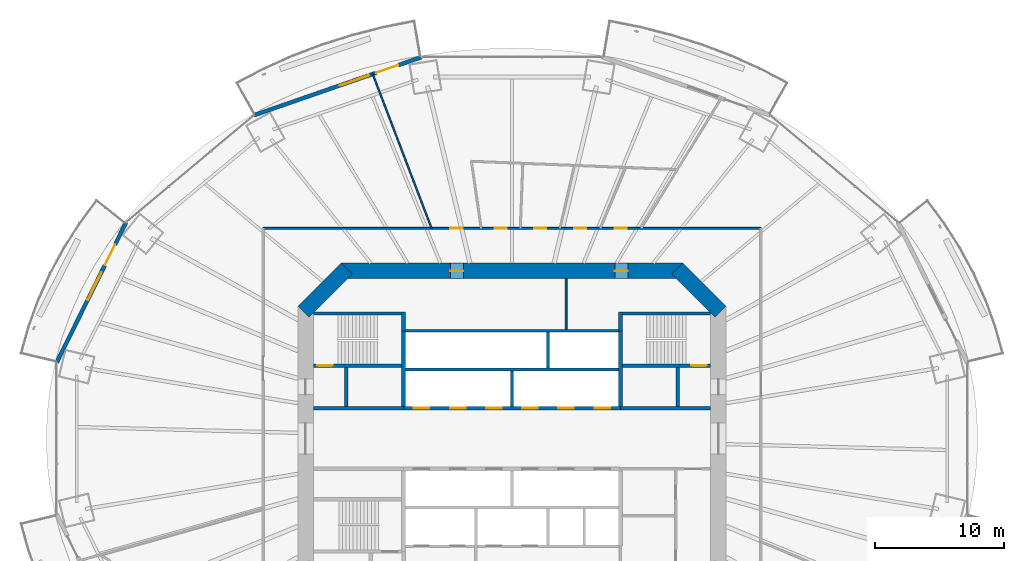
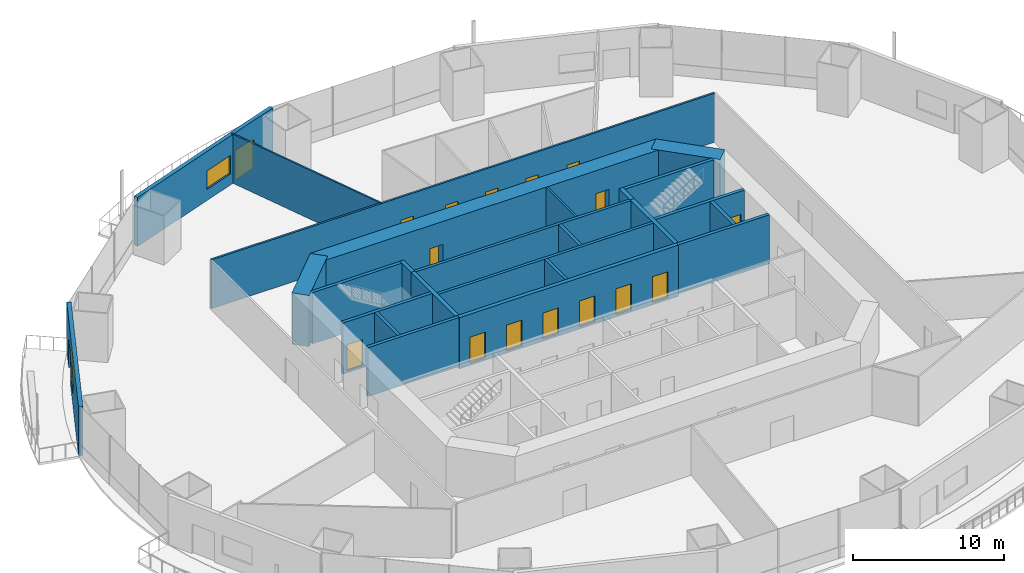
# One storey, part 16 of 23: 25 walls, 17 doors, 2 windows, 19 openings.
"""IFC4 building model written with IfcOpenShell, lengths in metres."""

from ifc_helpers import new_model, si_unit, direction, frame, frame_2d, origin, place, context, subcontext, project, spatial, rectangle, extrude, material, layer, layer_set, type_object, element, fill, save


model = new_model("IFC4")

# Units and contexts
model_context = context("Model", 3, precision=1e-05, world=origin(), true_north=direction((0.0, 1.0)))
body_context = subcontext(model_context, "Body", "Model", "MODEL_VIEW")
ifc_project = project(units=[si_unit("LENGTHUNIT", "METRE"), si_unit("AREAUNIT", "SQUARE_METRE"), si_unit("VOLUMEUNIT", "CUBIC_METRE"), si_unit("PLANEANGLEUNIT", "RADIAN"), si_unit("MASSUNIT", "GRAM", prefix="KILO")], contexts=[model_context])

# Site, building, storey
site_placement = place(None, origin())
site = spatial("IfcSite", under=ifc_project, at=site_placement, CompositionType="ELEMENT")
building_placement = place(site_placement, origin())
building = spatial("IfcBuilding", under=site, at=building_placement, Name="Marenthal Gate Tower", CompositionType="ELEMENT")
storey_placement = place(building_placement, frame((0.0, 0.0, 66.199951171875)))
storey = spatial("IfcBuildingStorey", under=building, at=storey_placement, Name="L12", CompositionType="ELEMENT", Elevation=66.199951171875)

# Wall
ifc_material_1 = material(Name="Concrete 60 MPa", Category="concrete")
ifc_layer_1 = layer(ifc_material_1, 1.199951171875)
ifc_layer_set_1 = layer_set([ifc_layer_1], Name="Core shear wall 1200")
wall_type_1 = type_object("IfcWallType", Name="Core shear wall 1200", PredefinedType="SHEAR", material=ifc_layer_set_1)
wall_1_placement = place(storey_placement, frame((16.17578125, 9.82421875, -0.179931640625), z_axis=(0.0, 0.0, 1.0), x_axis=(-0.707106781187, 0.707106781187, 0.0)))
element("IfcWall", 1, at=wall_1_placement, inside=storey, type_object=wall_type_1, Name="Core wall 03", PredefinedType="SHEAR", context=body_context, shape_type="SweptSolid", body=[
    extrude(rectangle(XDim=4.73974609375, YDim=1.199951171875, at=frame_2d((2.369873046875, 0.0))), origin(), (0.0, 0.0, 1.0), 4.14990234375),
])

# Wall, openings, doors
wall_2_placement = place(storey_placement, frame((13.24853515625, 13.0, -0.179931640625), z_axis=(0.0, 0.0, 1.0), x_axis=(-1.0, 0.0, 0.0)))
wall_2 = element("IfcWall", 2, at=wall_2_placement, inside=storey, type_object=wall_type_1, Name="Core wall 04", PredefinedType="SHEAR", context=body_context, shape_type="SweptSolid", body=[
    extrude(rectangle(XDim=26.4970703125, YDim=1.199951171875, at=frame_2d((13.24853515625, 0.0))), origin(), (0.0, 0.0, 1.0), 4.14990234375),
])
opening_1_placement = place(wall_2_placement, frame((17.0244140625, 0.0, 0.179931640625)))
opening_1 = element("IfcOpeningElement", 3, at=opening_1_placement, cuts=wall_2, Name="Opening D005.01", PredefinedType="OPENING", context=body_context, shape_type="SweptSolid", body=[
    extrude(rectangle(XDim=1.0, YDim=2.10009765625, at=frame_2d((0.5, 1.050048828125))), frame((0.0, 0.60986328125, 0.0), z_axis=(0.0, -1.0, 0.0), x_axis=(1.0, 0.0, 0.0)), (0.0, 0.0, 1.0), 1.219970703125),
])
opening_2_placement = place(wall_2_placement, frame((4.2724609375, 0.0, 0.179931640625)))
opening_2 = element("IfcOpeningElement", 4, at=opening_2_placement, cuts=wall_2, Name="Opening D005.02", PredefinedType="OPENING", context=body_context, shape_type="SweptSolid", body=[
    extrude(rectangle(XDim=1.0, YDim=2.10009765625, at=frame_2d((0.5, 1.050048828125))), frame((0.0, 0.60986328125, 0.0), z_axis=(0.0, -1.0, 0.0), x_axis=(1.0, 0.0, 0.0)), (0.0, 0.0, 1.0), 1.219970703125),
])
ifc_material_2 = material(Name="Steel fire door", Category="steel")
door_type_1 = type_object("IfcDoorType", Name="Fire door FD 45 1000 x 2100", OperationType="NOTDEFINED", PredefinedType="DOOR", material=ifc_material_2)
door_1_placement = place(opening_1_placement, origin())
door_1 = element("IfcDoor", 5, at=door_1_placement, inside=storey, type_object=door_type_1, Name="Door D005.01", OperationType="SINGLE_SWING_RIGHT", OverallHeight=2.10009765625, OverallWidth=1.0, PredefinedType="DOOR", context=body_context, shape_type="SweptSolid", body=[
    extrude(rectangle(XDim=1.0, YDim=2.10009765625, at=frame_2d((0.5, 1.050048828125))), frame((0.0, 0.02490234375, 0.0), z_axis=(0.0, -1.0, 0.0), x_axis=(1.0, 0.0, 0.0)), (0.0, 0.0, 1.0), 0.050048828125),
])
fill(opening_1, door_1)
door_2_placement = place(opening_2_placement, origin())
door_2 = element("IfcDoor", 6, at=door_2_placement, inside=storey, type_object=door_type_1, Name="Door D005.02", OperationType="SINGLE_SWING_RIGHT", OverallHeight=2.10009765625, OverallWidth=1.0, PredefinedType="DOOR", context=body_context, shape_type="SweptSolid", body=[
    extrude(rectangle(XDim=1.0, YDim=2.10009765625, at=frame_2d((0.5, 1.050048828125))), frame((0.0, 0.02490234375, 0.0), z_axis=(0.0, -1.0, 0.0), x_axis=(1.0, 0.0, 0.0)), (0.0, 0.0, 1.0), 0.050048828125),
])
fill(opening_2, door_2)

# Wall
wall_3_placement = place(storey_placement, frame((-12.82421875, 13.17578125, -0.179931640625), z_axis=(0.0, 0.0, 1.0), x_axis=(-0.707106781187, -0.707106781187, 0.0)))
element("IfcWall", 7, at=wall_3_placement, inside=storey, type_object=wall_type_1, Name="Core wall 05", PredefinedType="SHEAR", context=body_context, shape_type="SweptSolid", body=[
    extrude(rectangle(XDim=4.73974609375, YDim=1.199951171875, at=frame_2d((2.369873046875, 0.0))), origin(), (0.0, 0.0, 1.0), 4.14990234375),
])

# Wall, openings, doors
ifc_material_3 = material(Name="Concrete 50 MPa", Category="concrete")
ifc_layer_2 = layer(ifc_material_3, 0.300048828125)
ifc_layer_set_2 = layer_set([ifc_layer_2], Name="Hoistway shear wall 300")
wall_type_2 = type_object("IfcWallType", Name="Hoistway shear wall 300", PredefinedType="SHEAR", material=ifc_layer_set_2)
wall_4_placement = place(storey_placement, frame((-8.39990234375, 2.35009765625, -0.179931640625), z_axis=(0.0, 0.0, 1.0), x_axis=(1.0, 0.0, 0.0)))
wall_4 = element("IfcWall", 8, at=wall_4_placement, inside=storey, type_object=wall_type_2, Name="Hoistway wall 19", PredefinedType="SHEAR", context=body_context, shape_type="SweptSolid", body=[
    extrude(rectangle(XDim=16.7998046875, YDim=0.300048828125, at=frame_2d((8.39990234375, 0.0))), origin(), (0.0, 0.0, 1.0), 4.14990234375),
])
opening_3_placement = place(wall_4_placement, frame((0.800048828125, 0.0, 0.179931640625)))
opening_3 = element("IfcOpeningElement", 9, at=opening_3_placement, cuts=wall_4, Name="Opening LD-LP1", PredefinedType="OPENING", context=body_context, shape_type="SweptSolid", body=[
    extrude(rectangle(XDim=1.199951171875, YDim=2.10009765625, at=frame_2d((0.60009765625, 1.050048828125))), frame((0.0, 0.16015625, 0.0), z_axis=(0.0, -1.0, 0.0), x_axis=(1.0, 0.0, 0.0)), (0.0, 0.0, 1.0), 0.320068359375),
])
opening_4_placement = place(wall_4_placement, frame((3.60009765625, 0.0, 0.179931640625)))
opening_4 = element("IfcOpeningElement", 10, at=opening_4_placement, cuts=wall_4, Name="Opening LD-LP2", PredefinedType="OPENING", context=body_context, shape_type="SweptSolid", body=[
    extrude(rectangle(XDim=1.199951171875, YDim=2.10009765625, at=frame_2d((0.60009765625, 1.050048828125))), frame((0.0, 0.16015625, 0.0), z_axis=(0.0, -1.0, 0.0), x_axis=(1.0, 0.0, 0.0)), (0.0, 0.0, 1.0), 0.320068359375),
])
opening_5_placement = place(wall_4_placement, frame((6.39990234375, 0.0, 0.179931640625)))
opening_5 = element("IfcOpeningElement", 11, at=opening_5_placement, cuts=wall_4, Name="Opening LD-LP3", PredefinedType="OPENING", context=body_context, shape_type="SweptSolid", body=[
    extrude(rectangle(XDim=1.199951171875, YDim=2.10009765625, at=frame_2d((0.60009765625, 1.050048828125))), frame((0.0, 0.16015625, 0.0), z_axis=(0.0, -1.0, 0.0), x_axis=(1.0, 0.0, 0.0)), (0.0, 0.0, 1.0), 0.320068359375),
])
opening_6_placement = place(wall_4_placement, frame((9.199951171875, 0.0, 0.179931640625)))
opening_6 = element("IfcOpeningElement", 12, at=opening_6_placement, cuts=wall_4, Name="Opening LD-LP4", PredefinedType="OPENING", context=body_context, shape_type="SweptSolid", body=[
    extrude(rectangle(XDim=1.199951171875, YDim=2.10009765625, at=frame_2d((0.60009765625, 1.050048828125))), frame((0.0, 0.16015625, 0.0), z_axis=(0.0, -1.0, 0.0), x_axis=(1.0, 0.0, 0.0)), (0.0, 0.0, 1.0), 0.320068359375),
])
opening_7_placement = place(wall_4_placement, frame((12.0, 0.0, 0.179931640625)))
opening_7 = element("IfcOpeningElement", 13, at=opening_7_placement, cuts=wall_4, Name="Opening LD-LP5", PredefinedType="OPENING", context=body_context, shape_type="SweptSolid", body=[
    extrude(rectangle(XDim=1.199951171875, YDim=2.10009765625, at=frame_2d((0.60009765625, 1.050048828125))), frame((0.0, 0.16015625, 0.0), z_axis=(0.0, -1.0, 0.0), x_axis=(1.0, 0.0, 0.0)), (0.0, 0.0, 1.0), 0.320068359375),
])
opening_8_placement = place(wall_4_placement, frame((14.800048828125, 0.0, 0.179931640625)))
opening_8 = element("IfcOpeningElement", 14, at=opening_8_placement, cuts=wall_4, Name="Opening LD-LP6", PredefinedType="OPENING", context=body_context, shape_type="SweptSolid", body=[
    extrude(rectangle(XDim=1.199951171875, YDim=2.10009765625, at=frame_2d((0.60009765625, 1.050048828125))), frame((0.0, 0.16015625, 0.0), z_axis=(0.0, -1.0, 0.0), x_axis=(1.0, 0.0, 0.0)), (0.0, 0.0, 1.0), 0.320068359375),
])
ifc_material_4 = material(Name="Stainless steel sliding door", Category="steel")
door_type_2 = type_object("IfcDoorType", Name="Lift landing door FD 90 1200 x 2100", OperationType="DOUBLE_DOOR_SLIDING", PredefinedType="DOOR", material=ifc_material_4)
door_3_placement = place(opening_3_placement, origin())
door_3 = element("IfcDoor", 15, at=door_3_placement, inside=storey, type_object=door_type_2, Name="Lift landing door LP1", OperationType="DOUBLE_DOOR_SLIDING", OverallHeight=2.10009765625, OverallWidth=1.199951171875, PredefinedType="DOOR", context=body_context, shape_type="SweptSolid", body=[
    extrude(rectangle(XDim=1.199951171875, YDim=2.10009765625, at=frame_2d((0.60009765625, 1.050048828125))), frame((0.0, 0.02490234375, 0.0), z_axis=(0.0, -1.0, 0.0), x_axis=(1.0, 0.0, 0.0)), (0.0, 0.0, 1.0), 0.050048828125),
])
fill(opening_3, door_3)
door_4_placement = place(opening_4_placement, origin())
door_4 = element("IfcDoor", 16, at=door_4_placement, inside=storey, type_object=door_type_2, Name="Lift landing door LP2", OperationType="DOUBLE_DOOR_SLIDING", OverallHeight=2.10009765625, OverallWidth=1.199951171875, PredefinedType="DOOR", context=body_context, shape_type="SweptSolid", body=[
    extrude(rectangle(XDim=1.199951171875, YDim=2.10009765625, at=frame_2d((0.60009765625, 1.050048828125))), frame((0.0, 0.02490234375, 0.0), z_axis=(0.0, -1.0, 0.0), x_axis=(1.0, 0.0, 0.0)), (0.0, 0.0, 1.0), 0.050048828125),
])
fill(opening_4, door_4)
door_5_placement = place(opening_5_placement, origin())
door_5 = element("IfcDoor", 17, at=door_5_placement, inside=storey, type_object=door_type_2, Name="Lift landing door LP3", OperationType="DOUBLE_DOOR_SLIDING", OverallHeight=2.10009765625, OverallWidth=1.199951171875, PredefinedType="DOOR", context=body_context, shape_type="SweptSolid", body=[
    extrude(rectangle(XDim=1.199951171875, YDim=2.10009765625, at=frame_2d((0.60009765625, 1.050048828125))), frame((0.0, 0.02490234375, 0.0), z_axis=(0.0, -1.0, 0.0), x_axis=(1.0, 0.0, 0.0)), (0.0, 0.0, 1.0), 0.050048828125),
])
fill(opening_5, door_5)
door_6_placement = place(opening_6_placement, origin())
door_6 = element("IfcDoor", 18, at=door_6_placement, inside=storey, type_object=door_type_2, Name="Lift landing door LP4", OperationType="DOUBLE_DOOR_SLIDING", OverallHeight=2.10009765625, OverallWidth=1.199951171875, PredefinedType="DOOR", context=body_context, shape_type="SweptSolid", body=[
    extrude(rectangle(XDim=1.199951171875, YDim=2.10009765625, at=frame_2d((0.60009765625, 1.050048828125))), frame((0.0, 0.02490234375, 0.0), z_axis=(0.0, -1.0, 0.0), x_axis=(1.0, 0.0, 0.0)), (0.0, 0.0, 1.0), 0.050048828125),
])
fill(opening_6, door_6)
door_7_placement = place(opening_7_placement, origin())
door_7 = element("IfcDoor", 19, at=door_7_placement, inside=storey, type_object=door_type_2, Name="Lift landing door LP5", OperationType="DOUBLE_DOOR_SLIDING", OverallHeight=2.10009765625, OverallWidth=1.199951171875, PredefinedType="DOOR", context=body_context, shape_type="SweptSolid", body=[
    extrude(rectangle(XDim=1.199951171875, YDim=2.10009765625, at=frame_2d((0.60009765625, 1.050048828125))), frame((0.0, 0.02490234375, 0.0), z_axis=(0.0, -1.0, 0.0), x_axis=(1.0, 0.0, 0.0)), (0.0, 0.0, 1.0), 0.050048828125),
])
fill(opening_7, door_7)
door_8_placement = place(opening_8_placement, origin())
door_8 = element("IfcDoor", 20, at=door_8_placement, inside=storey, type_object=door_type_2, Name="Lift landing door LP6", OperationType="DOUBLE_DOOR_SLIDING", OverallHeight=2.10009765625, OverallWidth=1.199951171875, PredefinedType="DOOR", context=body_context, shape_type="SweptSolid", body=[
    extrude(rectangle(XDim=1.199951171875, YDim=2.10009765625, at=frame_2d((0.60009765625, 1.050048828125))), frame((0.0, 0.02490234375, 0.0), z_axis=(0.0, -1.0, 0.0), x_axis=(1.0, 0.0, 0.0)), (0.0, 0.0, 1.0), 0.050048828125),
])
fill(opening_8, door_8)

# Walls
for number, where, z_axis, x_axis, name in (
    (21, (-8.39990234375, 2.5, -0.179931640625), (0.0, 0.0, 1.0), (0.0, 1.0, 0.0), "Hoistway wall 31"),
    (22, (8.39990234375, 2.5, -0.179931640625), (0.0, 0.0, 1.0), (0.0, 1.0, 0.0), "Hoistway wall 43"),
):
    element("IfcWall", number, at=place(storey_placement, frame(where, z_axis=z_axis, x_axis=x_axis)), inside=storey, type_object=wall_type_2, Name=name, PredefinedType="SHEAR", context=body_context, shape_type="SweptSolid", body=[
        extrude(rectangle(XDim=5.85009765625, YDim=0.300048828125, at=frame_2d((2.925048828125, 0.0))), origin(), (0.0, 0.0, 1.0), 4.14990234375),
    ])
ifc_material_5 = material(Name="Concrete 40 MPa", Category="concrete")
ifc_layer_3 = layer(ifc_material_5, 0.219970703125)
ifc_layer_set_3 = layer_set([ifc_layer_3], Name="Hoistway wall 220")
wall_type_3 = type_object("IfcWallType", Name="Hoistway wall 220", PredefinedType="STANDARD", material=ifc_layer_set_3)
for number, where, z_axis, x_axis, name in (
    (23, (-8.25, 5.35009765625, 0.0), (0.0, 0.0, 1.0), (1.0, 0.0, 0.0), "Hoistway wall 21"),
    (24, (-8.25, 8.35009765625, 0.0), (0.0, 0.0, 1.0), (1.0, 0.0, 0.0), "Hoistway wall 24"),
):
    element("IfcWall", number, at=place(storey_placement, frame(where, z_axis=z_axis, x_axis=x_axis)), inside=storey, type_object=wall_type_3, Name=name, PredefinedType="STANDARD", context=body_context, shape_type="SweptSolid", body=[
        extrude(rectangle(XDim=16.5, YDim=0.219970703125, at=frame_2d((8.25, 0.0))), origin(), (0.0, 0.0, 1.0), 3.969970703125),
    ])
wall_5_placement = place(storey_placement, frame((0.0, 2.5, 0.0), z_axis=(0.0, 0.0, 1.0), x_axis=(0.0, 1.0, 0.0)))
element("IfcWall", 25, at=wall_5_placement, inside=storey, type_object=wall_type_3, Name="Hoistway wall 36", PredefinedType="STANDARD", context=body_context, shape_type="SweptSolid", body=[
    extrude(rectangle(XDim=2.739990234375, YDim=0.219970703125, at=frame_2d((1.3701171875, 0.0))), origin(), (0.0, 0.0, 1.0), 3.969970703125),
])
wall_6_placement = place(storey_placement, frame((2.800048828125, 5.4599609375, 0.0), z_axis=(0.0, 0.0, 1.0), x_axis=(0.0, 1.0, 0.0)))
element("IfcWall", 26, at=wall_6_placement, inside=storey, type_object=wall_type_3, Name="Hoistway wall 38", PredefinedType="STANDARD", context=body_context, shape_type="SweptSolid", body=[
    extrude(rectangle(XDim=2.780029296875, YDim=0.219970703125, at=frame_2d((1.39013671875, 0.0))), origin(), (0.0, 0.0, 1.0), 3.969970703125),
])
ifc_material_6 = material(Name="Gypsum board on steel studs", Category="steel")
ifc_layer_4 = layer(ifc_material_6, 0.1201171875)
ifc_layer_set_4 = layer_set([ifc_layer_4], Name="Partition 120")
wall_type_4 = type_object("IfcWallType", Name="Partition 120", PredefinedType="PARTITIONING", material=ifc_layer_set_4)
wall_7_placement = place(storey_placement, frame((-6.23046875, 16.300048828125, 0.0), z_axis=(0.0, 0.0, 1.0), x_axis=(-0.357030786406, 0.934092617227, 0.0)))
element("IfcWall", 27, at=wall_7_placement, inside=storey, type_object=wall_type_4, Name="Partition wall 52", PredefinedType="PARTITIONING", context=body_context, shape_type="SweptSolid", body=[
    extrude(rectangle(XDim=12.80224609375, YDim=0.1201171875, at=frame_2d((6.401123046875, 0.0))), origin(), (0.0, 0.0, 1.0), 3.969970703125),
])
ifc_material_7 = material(Name="Gypsum board on steel studs", Category="steel")
ifc_layer_5 = layer(ifc_material_7, 0.14990234375)
ifc_layer_set_5 = layer_set([ifc_layer_5], Name="Partition 150")
wall_type_5 = type_object("IfcWallType", Name="Partition 150", PredefinedType="PARTITIONING", material=ifc_layer_set_5)
wall_8_placement = place(storey_placement, frame((4.199951171875, 8.4599609375, 0.0), z_axis=(0.0, 0.0, 1.0), x_axis=(0.0, 1.0, 0.0)))
element("IfcWall", 28, at=wall_8_placement, inside=storey, type_object=wall_type_5, Name="Partition wall 39", PredefinedType="PARTITIONING", context=body_context, shape_type="SweptSolid", body=[
    extrude(rectangle(XDim=3.93994140625, YDim=0.14990234375, at=frame_2d((1.969970703125, 0.0))), origin(), (0.0, 0.0, 1.0), 3.969970703125),
])

# Wall, openings, doors
wall_9_placement = place(storey_placement, frame((-19.300048828125, 16.300048828125, 0.0), z_axis=(0.0, 0.0, 1.0), x_axis=(1.0, 0.0, 0.0)))
wall_9 = element("IfcWall", 29, at=wall_9_placement, inside=storey, type_object=wall_type_5, Name="Partition wall 51", PredefinedType="PARTITIONING", context=body_context, shape_type="SweptSolid", body=[
    extrude(rectangle(XDim=38.60009765625, YDim=0.14990234375, at=frame_2d((19.300048828125, 0.0))), origin(), (0.0, 0.0, 1.0), 3.969970703125),
])
opening_9_placement = place(wall_9_placement, frame((27.260009765625, 0.0, 0.0)))
opening_9 = element("IfcOpeningElement", 30, at=opening_9_placement, cuts=wall_9, Name="Opening D016.01", PredefinedType="OPENING", context=body_context, shape_type="SweptSolid", body=[
    extrude(rectangle(XDim=0.949951171875, YDim=2.10009765625, at=frame_2d((0.47509765625, 1.050048828125))), frame((0.0, 0.0849609375, 0.0), z_axis=(0.0, -1.0, 0.0), x_axis=(1.0, 0.0, 0.0)), (0.0, 0.0, 1.0), 0.169921875),
])
opening_10_placement = place(wall_9_placement, frame((24.110107421875, 0.0, 0.0)))
opening_10 = element("IfcOpeningElement", 31, at=opening_10_placement, cuts=wall_9, Name="Opening D016.02", PredefinedType="OPENING", context=body_context, shape_type="SweptSolid", body=[
    extrude(rectangle(XDim=0.949951171875, YDim=2.10009765625, at=frame_2d((0.47509765625, 1.050048828125))), frame((0.0, 0.0849609375, 0.0), z_axis=(0.0, -1.0, 0.0), x_axis=(1.0, 0.0, 0.0)), (0.0, 0.0, 1.0), 0.169921875),
])
opening_11_placement = place(wall_9_placement, frame((21.008056640625, 0.0, 0.0)))
opening_11 = element("IfcOpeningElement", 32, at=opening_11_placement, cuts=wall_9, Name="Opening D016.03", PredefinedType="OPENING", context=body_context, shape_type="SweptSolid", body=[
    extrude(rectangle(XDim=0.949951171875, YDim=2.10009765625, at=frame_2d((0.47509765625, 1.050048828125))), frame((0.0, 0.0849609375, 0.0), z_axis=(0.0, -1.0, 0.0), x_axis=(1.0, 0.0, 0.0)), (0.0, 0.0, 1.0), 0.169921875),
])
opening_12_placement = place(wall_9_placement, frame((17.951904296875, 0.0, 0.0)))
opening_12 = element("IfcOpeningElement", 33, at=opening_12_placement, cuts=wall_9, Name="Opening D016.04", PredefinedType="OPENING", context=body_context, shape_type="SweptSolid", body=[
    extrude(rectangle(XDim=0.949951171875, YDim=2.10009765625, at=frame_2d((0.47509765625, 1.050048828125))), frame((0.0, 0.0849609375, 0.0), z_axis=(0.0, -1.0, 0.0), x_axis=(1.0, 0.0, 0.0)), (0.0, 0.0, 1.0), 0.169921875),
])
opening_13_placement = place(wall_9_placement, frame((14.51611328125, 0.0, 0.0)))
opening_13 = element("IfcOpeningElement", 34, at=opening_13_placement, cuts=wall_9, Name="Opening D016.05", PredefinedType="OPENING", context=body_context, shape_type="SweptSolid", body=[
    extrude(rectangle(XDim=0.949951171875, YDim=2.10009765625, at=frame_2d((0.47509765625, 1.050048828125))), frame((0.0, 0.0849609375, 0.0), z_axis=(0.0, -1.0, 0.0), x_axis=(1.0, 0.0, 0.0)), (0.0, 0.0, 1.0), 0.169921875),
])
ifc_material_8 = material(Name="Timber door", Category="wood")
door_type_3 = type_object("IfcDoorType", Name="Door 950 x 2100", OperationType="NOTDEFINED", PredefinedType="DOOR", material=ifc_material_8)
door_9_placement = place(opening_9_placement, origin())
door_9 = element("IfcDoor", 35, at=door_9_placement, inside=storey, type_object=door_type_3, Name="Door D016.01", OperationType="SINGLE_SWING_RIGHT", OverallHeight=2.10009765625, OverallWidth=0.949951171875, PredefinedType="DOOR", context=body_context, shape_type="SweptSolid", body=[
    extrude(rectangle(XDim=0.949951171875, YDim=2.10009765625, at=frame_2d((0.47509765625, 1.050048828125))), frame((0.0, 0.02490234375, 0.0), z_axis=(0.0, -1.0, 0.0), x_axis=(1.0, 0.0, 0.0)), (0.0, 0.0, 1.0), 0.050048828125),
])
fill(opening_9, door_9)
door_10_placement = place(opening_10_placement, origin())
door_10 = element("IfcDoor", 36, at=door_10_placement, inside=storey, type_object=door_type_3, Name="Door D016.02", OperationType="SINGLE_SWING_RIGHT", OverallHeight=2.10009765625, OverallWidth=0.949951171875, PredefinedType="DOOR", context=body_context, shape_type="SweptSolid", body=[
    extrude(rectangle(XDim=0.949951171875, YDim=2.10009765625, at=frame_2d((0.47509765625, 1.050048828125))), frame((0.0, 0.02490234375, 0.0), z_axis=(0.0, -1.0, 0.0), x_axis=(1.0, 0.0, 0.0)), (0.0, 0.0, 1.0), 0.050048828125),
])
fill(opening_10, door_10)
door_11_placement = place(opening_11_placement, origin())
door_11 = element("IfcDoor", 37, at=door_11_placement, inside=storey, type_object=door_type_3, Name="Door D016.03", OperationType="SINGLE_SWING_RIGHT", OverallHeight=2.10009765625, OverallWidth=0.949951171875, PredefinedType="DOOR", context=body_context, shape_type="SweptSolid", body=[
    extrude(rectangle(XDim=0.949951171875, YDim=2.10009765625, at=frame_2d((0.47509765625, 1.050048828125))), frame((0.0, 0.02490234375, 0.0), z_axis=(0.0, -1.0, 0.0), x_axis=(1.0, 0.0, 0.0)), (0.0, 0.0, 1.0), 0.050048828125),
])
fill(opening_11, door_11)
door_12_placement = place(opening_12_placement, origin())
door_12 = element("IfcDoor", 38, at=door_12_placement, inside=storey, type_object=door_type_3, Name="Door D016.04", OperationType="SINGLE_SWING_RIGHT", OverallHeight=2.10009765625, OverallWidth=0.949951171875, PredefinedType="DOOR", context=body_context, shape_type="SweptSolid", body=[
    extrude(rectangle(XDim=0.949951171875, YDim=2.10009765625, at=frame_2d((0.47509765625, 1.050048828125))), frame((0.0, 0.02490234375, 0.0), z_axis=(0.0, -1.0, 0.0), x_axis=(1.0, 0.0, 0.0)), (0.0, 0.0, 1.0), 0.050048828125),
])
fill(opening_12, door_12)
door_13_placement = place(opening_13_placement, origin())
door_13 = element("IfcDoor", 39, at=door_13_placement, inside=storey, type_object=door_type_3, Name="Door D016.05", OperationType="SINGLE_SWING_RIGHT", OverallHeight=2.10009765625, OverallWidth=0.949951171875, PredefinedType="DOOR", context=body_context, shape_type="SweptSolid", body=[
    extrude(rectangle(XDim=0.949951171875, YDim=2.10009765625, at=frame_2d((0.47509765625, 1.050048828125))), frame((0.0, 0.02490234375, 0.0), z_axis=(0.0, -1.0, 0.0), x_axis=(1.0, 0.0, 0.0)), (0.0, 0.0, 1.0), 0.050048828125),
])
fill(opening_13, door_13)

# Walls
ifc_material_9 = material(Name="Concrete 40 MPa", Category="concrete")
ifc_layer_6 = layer(ifc_material_9, 0.25)
ifc_layer_set_6 = layer_set([ifc_layer_6], Name="Stair enclosure wall 250")
wall_type_6 = type_object("IfcWallType", Name="Stair enclosure wall 250", PredefinedType="STANDARD", material=ifc_layer_set_6)
for number, where, z_axis, x_axis, name in (
    (40, (-15.39990234375, 2.35009765625, 0.0), (0.0, 0.0, 1.0), (1.0, 0.0, 0.0), "Stair wall 18"),
    (41, (8.39990234375, 2.35009765625, 0.0), (0.0, 0.0, 1.0), (1.0, 0.0, 0.0), "Stair wall 20"),
):
    element("IfcWall", number, at=place(storey_placement, frame(where, z_axis=z_axis, x_axis=x_axis)), inside=storey, type_object=wall_type_6, Name=name, PredefinedType="STANDARD", context=body_context, shape_type="SweptSolid", body=[
        extrude(rectangle(XDim=7.0, YDim=0.25, at=frame_2d((3.5, 0.0))), origin(), (0.0, 0.0, 1.0), 3.969970703125),
    ])
for number, where, z_axis, x_axis, name in (
    (42, (-12.85009765625, 2.47509765625, 0.0), (0.0, 0.0, 1.0), (0.0, 1.0, 0.0), "Stair wall 27"),
    (43, (12.85009765625, 2.47509765625, 0.0), (0.0, 0.0, 1.0), (0.0, 1.0, 0.0), "Stair wall 46"),
):
    element("IfcWall", number, at=place(storey_placement, frame(where, z_axis=z_axis, x_axis=x_axis)), inside=storey, type_object=wall_type_6, Name=name, PredefinedType="STANDARD", context=body_context, shape_type="SweptSolid", body=[
        extrude(rectangle(XDim=3.0498046875, YDim=0.25, at=frame_2d((1.52490234375, 0.0))), origin(), (0.0, 0.0, 1.0), 3.969970703125),
    ])

# Wall, opening, door
ifc_material_10 = material(Name="Concrete 50 MPa", Category="concrete")
ifc_layer_7 = layer(ifc_material_10, 0.25)
ifc_layer_set_7 = layer_set([ifc_layer_7], Name="Stair shear wall 250")
wall_type_7 = type_object("IfcWallType", Name="Stair shear wall 250", PredefinedType="SHEAR", material=ifc_layer_set_7)
wall_10_placement = place(storey_placement, frame((-15.39990234375, 5.64990234375, -0.179931640625), z_axis=(0.0, 0.0, 1.0), x_axis=(1.0, 0.0, 0.0)))
wall_10 = element("IfcWall", 44, at=wall_10_placement, inside=storey, type_object=wall_type_7, Name="Stair wall 22", PredefinedType="SHEAR", context=body_context, shape_type="SweptSolid", body=[
    extrude(rectangle(XDim=6.849853515625, YDim=0.25, at=frame_2d((3.4248046875, 0.0))), origin(), (0.0, 0.0, 1.0), 4.14990234375),
])
opening_14_placement = place(wall_10_placement, frame((0.300048828125, 0.0, 0.179931640625)))
opening_14 = element("IfcOpeningElement", 45, at=opening_14_placement, cuts=wall_10, Name="Opening D001.01", PredefinedType="OPENING", context=body_context, shape_type="SweptSolid", body=[
    extrude(rectangle(XDim=1.199951171875, YDim=2.10009765625, at=frame_2d((0.60009765625, 1.050048828125))), frame((0.0, 0.135009765625, 0.0), z_axis=(0.0, -1.0, 0.0), x_axis=(1.0, 0.0, 0.0)), (0.0, 0.0, 1.0), 0.27001953125),
])
ifc_material_11 = material(Name="Steel fire door", Category="steel")
door_type_4 = type_object("IfcDoorType", Name="Fire door FD 90 1200 x 2100", OperationType="NOTDEFINED", PredefinedType="DOOR", material=ifc_material_11)
door_14_placement = place(opening_14_placement, origin())
door_14 = element("IfcDoor", 46, at=door_14_placement, inside=storey, type_object=door_type_4, Name="Door D001.01", OperationType="SINGLE_SWING_RIGHT", OverallHeight=2.10009765625, OverallWidth=1.199951171875, PredefinedType="DOOR", context=body_context, shape_type="SweptSolid", body=[
    extrude(rectangle(XDim=1.199951171875, YDim=2.10009765625, at=frame_2d((0.60009765625, 1.050048828125))), frame((0.0, 0.02490234375, 0.0), z_axis=(0.0, -1.0, 0.0), x_axis=(1.0, 0.0, 0.0)), (0.0, 0.0, 1.0), 0.050048828125),
])
fill(opening_14, door_14)

wall_11_placement = place(storey_placement, frame((8.550048828125, 5.64990234375, -0.179931640625), z_axis=(0.0, 0.0, 1.0), x_axis=(1.0, 0.0, 0.0)))
wall_11 = element("IfcWall", 47, at=wall_11_placement, inside=storey, type_object=wall_type_7, Name="Stair wall 23", PredefinedType="SHEAR", context=body_context, shape_type="SweptSolid", body=[
    extrude(rectangle(XDim=6.849853515625, YDim=0.25, at=frame_2d((3.4248046875, 0.0))), origin(), (0.0, 0.0, 1.0), 4.14990234375),
])
opening_15_placement = place(wall_11_placement, frame((5.35009765625, 0.0, 0.179931640625)))
opening_15 = element("IfcOpeningElement", 48, at=opening_15_placement, cuts=wall_11, Name="Opening D001.02", PredefinedType="OPENING", context=body_context, shape_type="SweptSolid", body=[
    extrude(rectangle(XDim=1.199951171875, YDim=2.10009765625, at=frame_2d((0.60009765625, 1.050048828125))), frame((0.0, 0.135009765625, 0.0), z_axis=(0.0, -1.0, 0.0), x_axis=(1.0, 0.0, 0.0)), (0.0, 0.0, 1.0), 0.27001953125),
])
door_15_placement = place(opening_15_placement, origin())
door_15 = element("IfcDoor", 49, at=door_15_placement, inside=storey, type_object=door_type_4, Name="Door D001.02", OperationType="SINGLE_SWING_RIGHT", OverallHeight=2.10009765625, OverallWidth=1.199951171875, PredefinedType="DOOR", context=body_context, shape_type="SweptSolid", body=[
    extrude(rectangle(XDim=1.199951171875, YDim=2.10009765625, at=frame_2d((0.60009765625, 1.050048828125))), frame((0.0, 0.02490234375, 0.0), z_axis=(0.0, -1.0, 0.0), x_axis=(1.0, 0.0, 0.0)), (0.0, 0.0, 1.0), 0.050048828125),
])
fill(opening_15, door_15)

# Walls
for number, where, z_axis, x_axis, name in (
    (50, (-15.39990234375, 9.699951171875, -0.179931640625), (0.0, 0.0, 1.0), (1.0, 0.0, 0.0), "Stair wall 25"),
    (51, (8.550048828125, 9.699951171875, -0.179931640625), (0.0, 0.0, 1.0), (1.0, 0.0, 0.0), "Stair wall 26"),
):
    element("IfcWall", number, at=place(storey_placement, frame(where, z_axis=z_axis, x_axis=x_axis)), inside=storey, type_object=wall_type_7, Name=name, PredefinedType="SHEAR", context=body_context, shape_type="SweptSolid", body=[
        extrude(rectangle(XDim=6.849853515625, YDim=0.25, at=frame_2d((3.4248046875, 0.0))), origin(), (0.0, 0.0, 1.0), 4.14990234375),
    ])
ifc_material_12 = material(Name="Concrete 50 MPa", Category="concrete")
ifc_layer_8 = layer(ifc_material_12, 0.300048828125)
ifc_layer_set_8 = layer_set([ifc_layer_8], Name="Stair shear wall 300")
wall_type_8 = type_object("IfcWallType", Name="Stair shear wall 300", PredefinedType="SHEAR", material=ifc_layer_set_8)
for number, where, z_axis, x_axis, name in (
    (52, (-8.39990234375, 8.35009765625, -0.179931640625), (0.0, 0.0, 1.0), (0.0, 1.0, 0.0), "Stair wall 32"),
    (53, (8.39990234375, 8.35009765625, -0.179931640625), (0.0, 0.0, 1.0), (0.0, 1.0, 0.0), "Stair wall 44"),
):
    element("IfcWall", number, at=place(storey_placement, frame(where, z_axis=z_axis, x_axis=x_axis)), inside=storey, type_object=wall_type_8, Name=name, PredefinedType="SHEAR", context=body_context, shape_type="SweptSolid", body=[
        extrude(rectangle(XDim=1.474853515625, YDim=0.300048828125, at=frame_2d((0.7373046875, 0.0))), origin(), (0.0, 0.0, 1.0), 4.14990234375),
    ])

# Wall, openings, door, window
ifc_material_13 = material(Name="Terracotta cladding on insulated concrete-block backing", Category="masonry")
ifc_layer_9 = layer(ifc_material_13, 0.300048828125)
ifc_layer_set_9 = layer_set([ifc_layer_9], Name="Terracotta facade wall 300")
wall_type_9 = type_object("IfcWallType", Name="Terracotta facade wall 300", PredefinedType="SOLIDWALL", material=ifc_layer_set_9)
wall_12_placement = place(storey_placement, frame((-7.022216796875, 29.569580078125, 0.0), z_axis=(0.0, 0.0, 1.0), x_axis=(-0.944762678088, -0.327755216727, 0.0)))
wall_12 = element("IfcWall", 54, at=wall_12_placement, inside=storey, type_object=wall_type_9, Name="Terracotta facade wall L12 bay 5", PredefinedType="SOLIDWALL", context=body_context, shape_type="SweptSolid", body=[
    extrude(rectangle(XDim=13.734130859375, YDim=0.300048828125, at=frame_2d((6.8671875, 0.0))), origin(), (0.0, 0.0, 1.0), 3.969970703125),
])
opening_16_placement = place(wall_12_placement, frame((1.89990234375, 0.0, 0.0)))
opening_16 = element("IfcOpeningElement", 55, at=opening_16_placement, cuts=wall_12, Name="Opening BD-L12-05", PredefinedType="OPENING", context=body_context, shape_type="SweptSolid", body=[
    extrude(rectangle(XDim=1.800048828125, YDim=2.39990234375, at=frame_2d((0.89990234375, 1.199951171875))), frame((0.0, 0.16015625, 0.0), z_axis=(0.0, -1.0, 0.0), x_axis=(1.0, 0.0, 0.0)), (0.0, 0.0, 1.0), 0.320068359375),
])
opening_17_placement = place(wall_12_placement, frame((4.300048828125, 0.0, 0.89990234375)))
opening_17 = element("IfcOpeningElement", 56, at=opening_17_placement, cuts=wall_12, Name="Opening WN1-L12-05", PredefinedType="OPENING", context=body_context, shape_type="SweptSolid", body=[
    extrude(rectangle(XDim=2.39990234375, YDim=1.5, at=frame_2d((1.199951171875, 0.75))), frame((0.0, 0.16015625, 0.0), z_axis=(0.0, -1.0, 0.0), x_axis=(1.0, 0.0, 0.0)), (0.0, 0.0, 1.0), 0.320068359375),
])
ifc_material_14 = material(Name="Aluminium and glass", Category="aluminium")
door_type_5 = type_object("IfcDoorType", Name="Balcony door 1800x2400", OperationType="DOUBLE_DOOR_SINGLE_SWING", PredefinedType="DOOR", material=ifc_material_14)
door_16_placement = place(opening_16_placement, origin())
door_16 = element("IfcDoor", 57, at=door_16_placement, inside=storey, type_object=door_type_5, Name="Balcony door L12 bay 5", OperationType="SINGLE_SWING_LEFT", OverallHeight=2.39990234375, OverallWidth=1.800048828125, PredefinedType="DOOR", context=body_context, shape_type="SweptSolid", body=[
    extrude(rectangle(XDim=1.800048828125, YDim=2.39990234375, at=frame_2d((0.89990234375, 1.199951171875))), frame((0.0, 0.02490234375, 0.0), z_axis=(0.0, -1.0, 0.0), x_axis=(1.0, 0.0, 0.0)), (0.0, 0.0, 1.0), 0.050048828125),
])
fill(opening_16, door_16)
ifc_material_15 = material(Name="Aluminium and glass", Category="aluminium")
window_type = type_object("IfcWindowType", Name="Window 2400x1500", PartitioningType="TRIPLE_PANEL_VERTICAL", PredefinedType="WINDOW", material=ifc_material_15)
window_1_placement = place(opening_17_placement, origin())
window_1 = element("IfcWindow", 58, at=window_1_placement, inside=storey, type_object=window_type, Name="Window L12 bay 5", OverallHeight=1.5, OverallWidth=2.39990234375, PartitioningType="SINGLE_PANEL", PredefinedType="WINDOW", context=body_context, shape_type="SweptSolid", body=[
    extrude(rectangle(XDim=2.39990234375, YDim=1.5, at=frame_2d((1.199951171875, 0.75))), frame((0.0, 0.030029296875, 0.0), z_axis=(0.0, -1.0, 0.0), x_axis=(1.0, 0.0, 0.0)), (0.0, 0.0, 1.0), 0.06005859375),
])
fill(opening_17, window_1)

wall_13_placement = place(storey_placement, frame((-29.9287109375, 16.75, 0.0), z_axis=(0.0, 0.0, 1.0), x_axis=(-0.443294866901, -0.896375848057, 0.0)))
wall_13 = element("IfcWall", 59, at=wall_13_placement, inside=storey, type_object=wall_type_9, Name="Terracotta facade wall L12 bay 7", PredefinedType="SOLIDWALL", context=body_context, shape_type="SweptSolid", body=[
    extrude(rectangle(XDim=12.12451171875, YDim=0.300048828125, at=frame_2d((6.062255859375, 0.0))), origin(), (0.0, 0.0, 1.0), 3.969970703125),
])
opening_18_placement = place(wall_13_placement, frame((1.89990234375, 0.0, 0.0)))
opening_18 = element("IfcOpeningElement", 60, at=opening_18_placement, cuts=wall_13, Name="Opening BD-L12-07", PredefinedType="OPENING", context=body_context, shape_type="SweptSolid", body=[
    extrude(rectangle(XDim=1.800048828125, YDim=2.39990234375, at=frame_2d((0.89990234375, 1.199951171875))), frame((0.0, 0.16015625, 0.0), z_axis=(0.0, -1.0, 0.0), x_axis=(1.0, 0.0, 0.0)), (0.0, 0.0, 1.0), 0.320068359375),
])
opening_19_placement = place(wall_13_placement, frame((4.300048828125, 0.0, 0.89990234375)))
opening_19 = element("IfcOpeningElement", 61, at=opening_19_placement, cuts=wall_13, Name="Opening WN1-L12-07", PredefinedType="OPENING", context=body_context, shape_type="SweptSolid", body=[
    extrude(rectangle(XDim=2.39990234375, YDim=1.5, at=frame_2d((1.199951171875, 0.75))), frame((0.0, 0.16015625, 0.0), z_axis=(0.0, -1.0, 0.0), x_axis=(1.0, 0.0, 0.0)), (0.0, 0.0, 1.0), 0.320068359375),
])
door_17_placement = place(opening_18_placement, origin())
door_17 = element("IfcDoor", 62, at=door_17_placement, inside=storey, type_object=door_type_5, Name="Balcony door L12 bay 7", OperationType="SINGLE_SWING_LEFT", OverallHeight=2.39990234375, OverallWidth=1.800048828125, PredefinedType="DOOR", context=body_context, shape_type="SweptSolid", body=[
    extrude(rectangle(XDim=1.800048828125, YDim=2.39990234375, at=frame_2d((0.89990234375, 1.199951171875))), frame((0.0, 0.02490234375, 0.0), z_axis=(0.0, -1.0, 0.0), x_axis=(1.0, 0.0, 0.0)), (0.0, 0.0, 1.0), 0.050048828125),
])
fill(opening_18, door_17)
window_2_placement = place(opening_19_placement, origin())
window_2 = element("IfcWindow", 63, at=window_2_placement, inside=storey, type_object=window_type, Name="Window L12 bay 7", OverallHeight=1.5, OverallWidth=2.39990234375, PartitioningType="SINGLE_PANEL", PredefinedType="WINDOW", context=body_context, shape_type="SweptSolid", body=[
    extrude(rectangle(XDim=2.39990234375, YDim=1.5, at=frame_2d((1.199951171875, 0.75))), frame((0.0, 0.030029296875, 0.0), z_axis=(0.0, -1.0, 0.0), x_axis=(1.0, 0.0, 0.0)), (0.0, 0.0, 1.0), 0.06005859375),
])
fill(opening_19, window_2)

save(model, "model.ifc")
